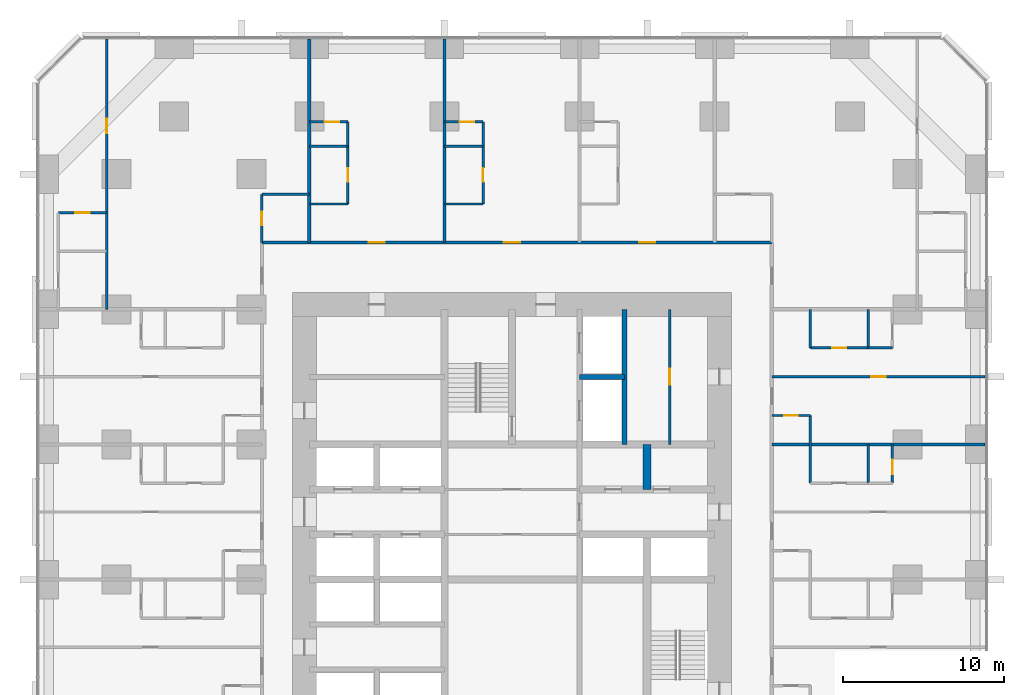
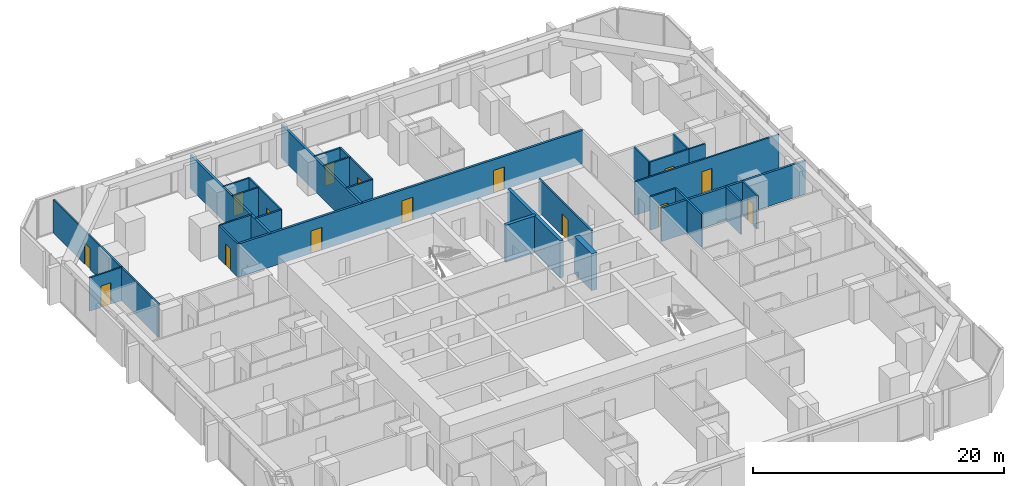
# One storey, part 15 of 17: 31 walls, 15 doors, 15 openings.
"""IFC4 building model written with IfcOpenShell, lengths in metres."""

import ifcopenshell
import ifcopenshell.guid

model = None  # the IFC model being written
_history = None  # IfcOwnerHistory: only IFC2X3 demands one
_inside = {}  # id of a spatial element -> (the spatial element, [elements in it])
_under = {}  # id of a project, library or spatial element -> (it, [spatial elements below it])
_declared = {}  # id of a project -> (the project, [libraries it declares])
_typed = {}  # id of a type object -> (the type object, [elements of that type])
_made_of = {}  # id of a material, layer set ... -> (it, [elements and type objects made of it])


def new_model(schema):
    """Start an empty IFC model of exactly this schema.

    Asked for "IFC4X3", IfcOpenShell would pick the latest addendum, in which some entities
    have other attributes; the version numbers below select the first issue.
    IFC2X3 requires an IfcOwnerHistory on every rooted entity: one is made here for all.
    """
    global model, _history
    if schema == "IFC4X3":
        model = ifcopenshell.file(schema_version=(4, 3, 0, 0))
    else:
        model = ifcopenshell.file(schema=schema)
    _inside.clear()
    _under.clear()
    _declared.clear()
    _typed.clear()
    _made_of.clear()
    _history = None
    if model.schema == "IFC2X3":
        org = make("IfcOrganization", Name="unknown")
        user = make(
            "IfcPersonAndOrganization",
            ThePerson=make("IfcPerson", FamilyName="unknown"),
            TheOrganization=org,
        )
        app = make(
            "IfcApplication",
            ApplicationDeveloper=org,
            Version="unknown",
            ApplicationFullName="unknown",
            ApplicationIdentifier="unknown",
        )
        _history = make(
            "IfcOwnerHistory",
            OwningUser=user,
            OwningApplication=app,
            ChangeAction="ADDED",
            CreationDate=0,
        )
    return model


def make(cls, **values):
    """One entity of the class cls with the attributes given. An attribute that is None is left unset."""
    return model.create_entity(
        cls, **{name: value for name, value in values.items() if value is not None}
    )


def rooted(cls, **values):
    """An entity with a GlobalId (a new one), such as an element, a storey or a relation."""
    return make(cls, GlobalId=ifcopenshell.guid.new(), OwnerHistory=_history, **values)


def si_unit(unit_type, name, prefix=None):
    """IfcSIUnit, for example si_unit("LENGTHUNIT", "METRE", prefix="MILLI")."""
    return make("IfcSIUnit", UnitType=unit_type, Prefix=prefix, Name=name)


def assignment(units):
    """IfcUnitAssignment: the units of a project."""
    return None if units is None else make("IfcUnitAssignment", Units=units)


def point(xyz):
    """IfcCartesianPoint."""
    return None if xyz is None else make("IfcCartesianPoint", Coordinates=xyz)


def direction(xyz):
    """IfcDirection."""
    return None if xyz is None else make("IfcDirection", DirectionRatios=xyz)


def frame(location, z_axis=None, x_axis=None):
    """IfcAxis2Placement3D, a coordinate frame: its origin and axes. An axis left out is left unset."""
    return make(
        "IfcAxis2Placement3D",
        Location=point(location),
        Axis=direction(z_axis),
        RefDirection=direction(x_axis),
    )


def frame_2d(location, x_axis=None):
    """IfcAxis2Placement2D, a coordinate frame in the plane: its origin and x axis."""
    return make(
        "IfcAxis2Placement2D", Location=point(location), RefDirection=direction(x_axis)
    )


def origin():
    """The frame at (0, 0, 0) with its axes left unset."""
    return frame((0.0, 0.0, 0.0))


def place(relative_to, where):
    """IfcLocalPlacement: puts the frame where relative to a parent placement (None: the world)."""
    return make(
        "IfcLocalPlacement", PlacementRelTo=relative_to, RelativePlacement=where
    )


def context(
    kind, dimensions, precision=None, world=None, true_north=None, identifier=None
):
    """IfcGeometricRepresentationContext, for example the 3D "Model" context."""
    return make(
        "IfcGeometricRepresentationContext",
        ContextIdentifier=identifier,
        ContextType=kind,
        CoordinateSpaceDimension=dimensions,
        Precision=precision,
        WorldCoordinateSystem=world,
        TrueNorth=true_north,
    )


def subcontext(parent, identifier, kind, view, scale=None):
    """IfcGeometricRepresentationSubContext, for example "Body" below "Model"."""
    return make(
        "IfcGeometricRepresentationSubContext",
        ContextIdentifier=identifier,
        ContextType=kind,
        ParentContext=parent,
        TargetScale=scale,
        TargetView=view,
    )


def project(units=None, contexts=None):
    """IfcProject with its units and contexts."""
    return rooted(
        "IfcProject",
        Name="project",
        RepresentationContexts=contexts,
        UnitsInContext=assignment(units),
    )


def spatial(cls, under=None, at=None, **own):
    """A site, building, storey or space (cls), placed at a placement, below another one or the project."""
    s = rooted(cls, ObjectPlacement=at, **own)
    if under is not None:
        _under.setdefault(under.id(), (under, []))[1].append(s)
    return s


def profile(cls, at=None, kind="AREA", **sizes):
    """A parametric profile (cls). Its sizes go by their IFC names, for example OverallWidth=200.0."""
    return make(cls, ProfileType=kind, Position=at, **sizes)


def rectangle(**sizes):
    """IfcRectangleProfileDef."""
    return profile("IfcRectangleProfileDef", **sizes)


def extrude(swept, where, along, depth):
    """IfcExtrudedAreaSolid: the profile swept, set in the frame where, extruded along a direction by depth."""
    return make(
        "IfcExtrudedAreaSolid",
        SweptArea=swept,
        Position=where,
        ExtrudedDirection=direction(along),
        Depth=depth,
    )


def shape(context_of_items, identifier, shape_type, items):
    """IfcShapeRepresentation: the items that make up one representation, for example the "Body"."""
    return make(
        "IfcShapeRepresentation",
        ContextOfItems=context_of_items,
        RepresentationIdentifier=identifier,
        RepresentationType=shape_type,
        Items=items,
    )


def material(Name=None, Category=None):
    """IfcMaterial."""
    return make("IfcMaterial", Name=Name, Category=Category)


def layer(
    of_material, thickness, ventilated=None, Name=None, Category=None, Priority=None
):
    """IfcMaterialLayer: one layer of a wall or slab, of a material (None: an air gap)."""
    return make(
        "IfcMaterialLayer",
        Material=of_material,
        LayerThickness=thickness,
        IsVentilated=ventilated,
        Name=Name,
        Category=Category,
        Priority=Priority,
    )


def layer_set(layers, Name=None):
    """IfcMaterialLayerSet."""
    return make("IfcMaterialLayerSet", MaterialLayers=layers, LayerSetName=Name)


def made_of(thing, what):
    """Note that an element or type object is made of a material, layer set ...; save() writes the relation."""
    if what is not None:
        _made_of.setdefault(what.id(), (what, []))[1].append(thing)
    return thing


def type_object(cls, material=None, **own):
    """A type object (cls), such as IfcWallType, which elements share."""
    return made_of(rooted(cls, **own), material)


def element(
    cls,
    number,
    at=None,
    inside=None,
    cuts=None,
    type_object=None,
    material=None,
    context=None,
    identifier="Body",
    shape_type=None,
    held_by="IfcProductDefinitionShape",
    body=None,
    shapes=None,
    **own,
):
    """One element of the class cls, such as IfcWall. Its Tag is "e" and its number.

    at: its placement. inside: the storey or other place that contains it. cuts: it is an
    opening in that element (IfcRelVoidsElement). A single representation is given by context,
    identifier, shape_type and body (its items); several are given by shapes. held_by: the class
    of the entity that holds the representations. save() writes the other relations.
    """
    e = rooted(cls, Tag="e%d" % number, ObjectPlacement=at, **own)
    if body is not None:
        shapes = [shape(context, identifier, shape_type, body)]
    if shapes is not None:
        e.Representation = make(held_by, Representations=shapes)
    if inside is not None:
        _inside.setdefault(inside.id(), (inside, []))[1].append(e)
    if cuts is not None:
        rooted(
            "IfcRelVoidsElement", RelatingBuildingElement=cuts, RelatedOpeningElement=e
        )
    if type_object is not None:
        _typed.setdefault(type_object.id(), (type_object, []))[1].append(e)
    return made_of(e, material)


def fill(opening, filler):
    """IfcRelFillsElement: the door or window that sits in an opening."""
    return rooted(
        "IfcRelFillsElement",
        RelatingOpeningElement=opening,
        RelatedBuildingElement=filler,
    )


def aggregate(whole, parts):
    """IfcRelAggregates: a whole, such as a stair, and the parts it consists of."""
    return rooted("IfcRelAggregates", RelatingObject=whole, RelatedObjects=parts)


def save(model, path):
    """Write the relations noted so far, then the file.

    IfcRelAggregates (storeys below a building ...), IfcRelContainedInSpatialStructure (elements
    in a storey), IfcRelDefinesByType, IfcRelAssociatesMaterial and IfcRelDeclares: one each for
    every whole, place, type object, material and project.
    """
    for whole, parts in _under.values():
        aggregate(whole, parts)
    for where, things in _inside.values():
        rooted(
            "IfcRelContainedInSpatialStructure",
            RelatedElements=things,
            RelatingStructure=where,
        )
    for kind, things in _typed.values():
        rooted("IfcRelDefinesByType", RelatedObjects=things, RelatingType=kind)
    for what, things in _made_of.values():
        rooted("IfcRelAssociatesMaterial", RelatedObjects=things, RelatingMaterial=what)
    for by, libraries in _declared.values():
        rooted("IfcRelDeclares", RelatingContext=by, RelatedDefinitions=libraries)
    model.write(path)


model = new_model("IFC4")

# Units and contexts
model_context = context("Model", 3, precision=1e-05, world=origin(), true_north=direction((0.0, 1.0)))
body_context = subcontext(model_context, "Body", "Model", "MODEL_VIEW")
ifc_project = project(units=[si_unit("LENGTHUNIT", "METRE"), si_unit("AREAUNIT", "SQUARE_METRE"), si_unit("VOLUMEUNIT", "CUBIC_METRE"), si_unit("PLANEANGLEUNIT", "RADIAN"), si_unit("MASSUNIT", "GRAM", prefix="KILO")], contexts=[model_context])

# Site, building, storey
site_placement = place(None, origin())
site = spatial("IfcSite", under=ifc_project, at=site_placement, CompositionType="ELEMENT")
building_placement = place(site_placement, origin())
building = spatial("IfcBuilding", under=site, at=building_placement, Name="Dunama Terrace Hotel", CompositionType="ELEMENT")
storey_placement = place(building_placement, frame((0.0, 0.0, 59.39990234375)))
storey = spatial("IfcBuildingStorey", under=building, at=storey_placement, Name="L14", CompositionType="ELEMENT", Elevation=59.39990234375)

# Wall, opening, door
ifc_material_1 = material(Name="Gypsum board partition", Category="masonry")
ifc_layer_1 = layer(ifc_material_1, 0.14990234375)
ifc_layer_set_1 = layer_set([ifc_layer_1], Name="Bathroom partition 150")
wall_type_1 = type_object("IfcWallType", Name="Bathroom partition 150", PredefinedType="PARTITIONING", material=ifc_layer_set_1)
wall_1_placement = place(storey_placement, frame((13.85009765625, 46.14990234375, 0.0), z_axis=(0.0, 0.0, 1.0), x_axis=(0.0, 1.0, 0.0)))
wall_1 = element("IfcWall", 1, at=wall_1_placement, inside=storey, type_object=wall_type_1, Name="Bathroom partition 150 L14", PredefinedType="PARTITIONING", context=body_context, shape_type="SweptSolid", body=[
    extrude(rectangle(XDim=3.0, YDim=0.14990234375, at=frame_2d((1.5, 0.0))), origin(), (0.0, 0.0, 1.0), 3.25),
])
opening_1_placement = place(wall_1_placement, frame((1.074951171875, 0.0, 0.0)))
opening_1 = element("IfcOpeningElement", 2, at=opening_1_placement, cuts=wall_1, Name="Opening L13-14-073", PredefinedType="OPENING", context=body_context, shape_type="SweptSolid", body=[
    extrude(rectangle(XDim=0.85009765625, YDim=2.10009765625, at=frame_2d((0.425048828125, 1.050048828125))), frame((0.0, 0.0849609375, 0.0), z_axis=(0.0, -1.0, 0.0), x_axis=(1.0, 0.0, 0.0)), (0.0, 0.0, 1.0), 0.169921875),
])
ifc_material_2 = material(Name="Timber door with steel frame", Category="steel")
door_type_1 = type_object("IfcDoorType", Name="Bathroom door 850", OperationType="SINGLE_SWING_LEFT", PredefinedType="DOOR", material=ifc_material_2)
door_1_placement = place(opening_1_placement, frame((0.85009765625, 0.0, 0.0), z_axis=(0.0, 0.0, 1.0), x_axis=(-1.0, 0.0, 0.0)))
door_1 = element("IfcDoor", 3, at=door_1_placement, inside=storey, type_object=door_type_1, Name="Door to powder room L13-14-073, type D2", OperationType="SINGLE_SWING_RIGHT", OverallHeight=2.10009765625, OverallWidth=0.85009765625, PredefinedType="DOOR", context=body_context, shape_type="SweptSolid", body=[
    extrude(rectangle(XDim=0.85009765625, YDim=2.10009765625, at=frame_2d((0.425048828125, 1.050048828125))), frame((0.0, 0.025146484375, 0.0), z_axis=(0.0, -1.0, 0.0), x_axis=(1.0, 0.0, 0.0)), (0.0, 0.0, 1.0), 0.050048828125),
])
fill(opening_1, door_1)

wall_2_placement = place(storey_placement, frame((19.199951171875, 48.550048828125, 0.0), z_axis=(0.0, 0.0, 1.0), x_axis=(0.0, 1.0, 0.0)))
wall_2 = element("IfcWall", 4, at=wall_2_placement, inside=storey, type_object=wall_type_1, Name="Bathroom partition 150 L14", PredefinedType="PARTITIONING", context=body_context, shape_type="SweptSolid", body=[
    extrude(rectangle(XDim=3.599853515625, YDim=0.14990234375, at=frame_2d((1.7998046875, 0.0))), origin(), (0.0, 0.0, 1.0), 3.25),
])
opening_2_placement = place(wall_2_placement, frame((1.375, 0.0, 0.0)))
opening_2 = element("IfcOpeningElement", 5, at=opening_2_placement, cuts=wall_2, Name="Opening L13-14-034", PredefinedType="OPENING", context=body_context, shape_type="SweptSolid", body=[
    extrude(rectangle(XDim=0.85009765625, YDim=2.10009765625, at=frame_2d((0.425048828125, 1.050048828125))), frame((0.0, 0.0849609375, 0.0), z_axis=(0.0, -1.0, 0.0), x_axis=(1.0, 0.0, 0.0)), (0.0, 0.0, 1.0), 0.169921875),
])
door_2_placement = place(opening_2_placement, origin())
door_2 = element("IfcDoor", 6, at=door_2_placement, inside=storey, type_object=door_type_1, Name="Door to en-suite bathroom L13-14-034, type D2", OperationType="SINGLE_SWING_LEFT", OverallHeight=2.10009765625, OverallWidth=0.85009765625, PredefinedType="DOOR", context=body_context, shape_type="SweptSolid", body=[
    extrude(rectangle(XDim=0.85009765625, YDim=2.10009765625, at=frame_2d((0.425048828125, 1.050048828125))), frame((0.0, 0.02490234375, 0.0), z_axis=(0.0, -1.0, 0.0), x_axis=(1.0, 0.0, 0.0)), (0.0, 0.0, 1.0), 0.050048828125),
])
fill(opening_2, door_2)

wall_3_placement = place(storey_placement, frame((27.60009765625, 48.550048828125, 0.0), z_axis=(0.0, 0.0, 1.0), x_axis=(0.0, 1.0, 0.0)))
wall_3 = element("IfcWall", 7, at=wall_3_placement, inside=storey, type_object=wall_type_1, Name="Bathroom partition 150 L14", PredefinedType="PARTITIONING", context=body_context, shape_type="SweptSolid", body=[
    extrude(rectangle(XDim=3.599853515625, YDim=0.14990234375, at=frame_2d((1.7998046875, 0.0))), origin(), (0.0, 0.0, 1.0), 3.25),
])
opening_3_placement = place(wall_3_placement, frame((1.375, 0.0, 0.0)))
opening_3 = element("IfcOpeningElement", 8, at=opening_3_placement, cuts=wall_3, Name="Opening L13-14-037", PredefinedType="OPENING", context=body_context, shape_type="SweptSolid", body=[
    extrude(rectangle(XDim=0.85009765625, YDim=2.10009765625, at=frame_2d((0.425048828125, 1.050048828125))), frame((0.0, 0.0849609375, 0.0), z_axis=(0.0, -1.0, 0.0), x_axis=(1.0, 0.0, 0.0)), (0.0, 0.0, 1.0), 0.169921875),
])
door_3_placement = place(opening_3_placement, origin())
door_3 = element("IfcDoor", 9, at=door_3_placement, inside=storey, type_object=door_type_1, Name="Door to en-suite bathroom L13-14-037, type D2", OperationType="SINGLE_SWING_LEFT", OverallHeight=2.10009765625, OverallWidth=0.85009765625, PredefinedType="DOOR", context=body_context, shape_type="SweptSolid", body=[
    extrude(rectangle(XDim=0.85009765625, YDim=2.10009765625, at=frame_2d((0.425048828125, 1.050048828125))), frame((0.0, 0.02490234375, 0.0), z_axis=(0.0, -1.0, 0.0), x_axis=(1.0, 0.0, 0.0)), (0.0, 0.0, 1.0), 0.050048828125),
])
fill(opening_3, door_3)

# Walls
wall_4_placement = place(storey_placement, frame((47.949951171875, 31.199951171875, 0.0), z_axis=(0.0, 0.0, 1.0), x_axis=(0.0, 1.0, 0.0)))
element("IfcWall", 10, at=wall_4_placement, inside=storey, type_object=wall_type_1, Name="Bathroom partition 150 L14", PredefinedType="PARTITIONING", context=body_context, shape_type="SweptSolid", body=[
    extrude(rectangle(XDim=4.199951171875, YDim=0.14990234375, at=frame_2d((2.10009765625, 0.0))), origin(), (0.0, 0.0, 1.0), 3.25),
])
wall_5_placement = place(storey_placement, frame((47.949951171875, 39.60009765625, 0.0), z_axis=(0.0, 0.0, 1.0), x_axis=(0.0, 1.0, 0.0)))
element("IfcWall", 11, at=wall_5_placement, inside=storey, type_object=wall_type_1, Name="Bathroom partition 150 L14", PredefinedType="PARTITIONING", context=body_context, shape_type="SweptSolid", body=[
    extrude(rectangle(XDim=2.39990234375, YDim=0.14990234375, at=frame_2d((1.199951171875, 0.0))), origin(), (0.0, 0.0, 1.0), 3.25),
])

# Wall, opening, door
wall_6_placement = place(storey_placement, frame((45.550048828125, 35.39990234375, 0.0), z_axis=(0.0, 0.0, 1.0), x_axis=(1.0, 0.0, 0.0)))
wall_6 = element("IfcWall", 12, at=wall_6_placement, inside=storey, type_object=wall_type_1, Name="Bathroom partition 150 L14", PredefinedType="PARTITIONING", context=body_context, shape_type="SweptSolid", body=[
    extrude(rectangle(XDim=2.39990234375, YDim=0.14990234375, at=frame_2d((1.199951171875, 0.0))), origin(), (0.0, 0.0, 1.0), 3.25),
])
opening_4_placement = place(wall_6_placement, frame((0.77490234375, 0.0, 0.0)))
opening_4 = element("IfcOpeningElement", 13, at=opening_4_placement, cuts=wall_6, Name="Opening L13-14-029", PredefinedType="OPENING", context=body_context, shape_type="SweptSolid", body=[
    extrude(rectangle(XDim=0.85009765625, YDim=2.10009765625, at=frame_2d((0.425048828125, 1.050048828125))), frame((0.0, 0.0849609375, 0.0), z_axis=(0.0, -1.0, 0.0), x_axis=(1.0, 0.0, 0.0)), (0.0, 0.0, 1.0), 0.169921875),
])
door_4_placement = place(opening_4_placement, frame((0.85009765625, 0.0, 0.0), z_axis=(0.0, 0.0, 1.0), x_axis=(-1.0, 0.0, 0.0)))
door_4 = element("IfcDoor", 14, at=door_4_placement, inside=storey, type_object=door_type_1, Name="Door to powder room L13-14-029, type D2", OperationType="SINGLE_SWING_RIGHT", OverallHeight=2.10009765625, OverallWidth=0.85009765625, PredefinedType="DOOR", context=body_context, shape_type="SweptSolid", body=[
    extrude(rectangle(XDim=0.85009765625, YDim=2.10009765625, at=frame_2d((0.425048828125, 1.050048828125))), frame((0.0, 0.025146484375, 0.0), z_axis=(0.0, -1.0, 0.0), x_axis=(1.0, 0.0, 0.0)), (0.0, 0.0, 1.0), 0.050048828125),
])
fill(opening_4, door_4)

wall_7_placement = place(storey_placement, frame((47.949951171875, 39.60009765625, 0.0), z_axis=(0.0, 0.0, 1.0), x_axis=(1.0, 0.0, 0.0)))
wall_7 = element("IfcWall", 15, at=wall_7_placement, inside=storey, type_object=wall_type_1, Name="Bathroom partition 150 L14", PredefinedType="PARTITIONING", context=body_context, shape_type="SweptSolid", body=[
    extrude(rectangle(XDim=3.60009765625, YDim=0.14990234375, at=frame_2d((1.800048828125, 0.0))), origin(), (0.0, 0.0, 1.0), 3.25),
])
opening_5_placement = place(wall_7_placement, frame((1.375, 0.0, 0.0)))
opening_5 = element("IfcOpeningElement", 16, at=opening_5_placement, cuts=wall_7, Name="Opening L13-14-031", PredefinedType="OPENING", context=body_context, shape_type="SweptSolid", body=[
    extrude(rectangle(XDim=0.85009765625, YDim=2.10009765625, at=frame_2d((0.425048828125, 1.050048828125))), frame((0.0, 0.0849609375, 0.0), z_axis=(0.0, -1.0, 0.0), x_axis=(1.0, 0.0, 0.0)), (0.0, 0.0, 1.0), 0.169921875),
])
door_5_placement = place(opening_5_placement, origin())
door_5 = element("IfcDoor", 17, at=door_5_placement, inside=storey, type_object=door_type_1, Name="Door to en-suite bathroom L13-14-031, type D2", OperationType="SINGLE_SWING_RIGHT", OverallHeight=2.10009765625, OverallWidth=0.85009765625, PredefinedType="DOOR", context=body_context, shape_type="SweptSolid", body=[
    extrude(rectangle(XDim=0.85009765625, YDim=2.10009765625, at=frame_2d((0.425048828125, 1.050048828125))), frame((0.0, 0.02490234375, 0.0), z_axis=(0.0, -1.0, 0.0), x_axis=(1.0, 0.0, 0.0)), (0.0, 0.0, 1.0), 0.050048828125),
])
fill(opening_5, door_5)

# Walls
wall_8_placement = place(storey_placement, frame((16.800048828125, 48.550048828125, 0.0), z_axis=(0.0, 0.0, 1.0), x_axis=(1.0, 0.0, 0.0)))
element("IfcWall", 18, at=wall_8_placement, inside=storey, type_object=wall_type_1, Name="Bathroom partition 150 L14", PredefinedType="PARTITIONING", context=body_context, shape_type="SweptSolid", body=[
    extrude(rectangle(XDim=2.39990234375, YDim=0.14990234375, at=frame_2d((1.199951171875, 0.0))), origin(), (0.0, 0.0, 1.0), 3.25),
])
wall_9_placement = place(storey_placement, frame((25.199951171875, 48.550048828125, 0.0), z_axis=(0.0, 0.0, 1.0), x_axis=(1.0, 0.0, 0.0)))
element("IfcWall", 19, at=wall_9_placement, inside=storey, type_object=wall_type_1, Name="Bathroom partition 150 L14", PredefinedType="PARTITIONING", context=body_context, shape_type="SweptSolid", body=[
    extrude(rectangle(XDim=2.400146484375, YDim=0.14990234375, at=frame_2d((1.2001953125, 0.0))), origin(), (0.0, 0.0, 1.0), 3.25),
])
wall_10_placement = place(storey_placement, frame((13.85009765625, 49.14990234375, 0.0), z_axis=(0.0, 0.0, 1.0), x_axis=(1.0, 0.0, 0.0)))
element("IfcWall", 20, at=wall_10_placement, inside=storey, type_object=wall_type_1, Name="Bathroom partition 150 L14", PredefinedType="PARTITIONING", context=body_context, shape_type="SweptSolid", body=[
    extrude(rectangle(XDim=2.949951171875, YDim=0.14990234375, at=frame_2d((1.47509765625, 0.0))), origin(), (0.0, 0.0, 1.0), 3.25),
])
ifc_material_3 = material(Name="Concrete C50/60", Category="concrete")
ifc_layer_2 = layer(ifc_material_3, 0.300048828125)
ifc_layer_set_2 = layer_set([ifc_layer_2], Name="Core inner wall 300")
wall_type_2 = type_object("IfcWallType", Name="Core inner wall 300", PredefinedType="SHEAR", material=ifc_layer_set_2)
wall_11_placement = place(storey_placement, frame((36.39990234375, 33.60009765625, -0.349853515625), z_axis=(0.0, 0.0, 1.0), x_axis=(0.0, 1.0, 0.0)))
element("IfcWall", 21, at=wall_11_placement, inside=storey, type_object=wall_type_2, Name="Core inner wall 300 L14", PredefinedType="SHEAR", context=body_context, shape_type="SweptSolid", body=[
    extrude(rectangle(XDim=8.39990234375, YDim=0.300048828125, at=frame_2d((4.199951171875, 0.0))), origin(), (0.0, 0.0, 1.0), 3.599853515625),
])
wall_12_placement = place(storey_placement, frame((33.60009765625, 37.800048828125, -0.349853515625), z_axis=(0.0, 0.0, 1.0), x_axis=(1.0, 0.0, 0.0)))
element("IfcWall", 22, at=wall_12_placement, inside=storey, type_object=wall_type_2, Name="Core inner wall 300 L14", PredefinedType="SHEAR", context=body_context, shape_type="SweptSolid", body=[
    extrude(rectangle(XDim=2.7998046875, YDim=0.300048828125, at=frame_2d((1.39990234375, 0.0))), origin(), (0.0, 0.0, 1.0), 3.599853515625),
])
ifc_material_4 = material(Name="Concrete C50/60", Category="concrete")
ifc_layer_3 = layer(ifc_material_4, 0.5)
ifc_layer_set_3 = layer_set([ifc_layer_3], Name="Core inner wall 500")
wall_type_3 = type_object("IfcWallType", Name="Core inner wall 500", PredefinedType="SHEAR", material=ifc_layer_set_3)
wall_13_placement = place(storey_placement, frame((37.800048828125, 30.800048828125, -0.349853515625), z_axis=(0.0, 0.0, 1.0), x_axis=(0.0, 1.0, 0.0)))
element("IfcWall", 23, at=wall_13_placement, inside=storey, type_object=wall_type_3, Name="Core inner wall 500 L14", PredefinedType="SHEAR", context=body_context, shape_type="SweptSolid", body=[
    extrude(rectangle(XDim=2.800048828125, YDim=0.5, at=frame_2d((1.39990234375, 0.0))), origin(), (0.0, 0.0, 1.0), 3.599853515625),
])

# Wall, openings, doors
ifc_material_5 = material(Name="Concrete blockwork", Category="masonry")
ifc_layer_4 = layer(ifc_material_5, 0.199951171875)
ifc_layer_set_4 = layer_set([ifc_layer_4], Name="Corridor partition 200")
wall_type_4 = type_object("IfcWallType", Name="Corridor partition 200", PredefinedType="PARTITIONING", material=ifc_layer_set_4)
wall_14_placement = place(storey_placement, frame((13.85009765625, 46.14990234375, 0.0), z_axis=(0.0, 0.0, 1.0), x_axis=(1.0, 0.0, 0.0)))
wall_14 = element("IfcWall", 24, at=wall_14_placement, inside=storey, type_object=wall_type_4, Name="Corridor partition 200 L14", PredefinedType="PARTITIONING", context=body_context, shape_type="SweptSolid", body=[
    extrude(rectangle(XDim=31.699951171875, YDim=0.199951171875, at=frame_2d((15.85009765625, 0.0))), origin(), (0.0, 0.0, 1.0), 3.25),
])
opening_6_placement = place(wall_14_placement, frame((6.64990234375, 0.0, 0.0)))
opening_6 = element("IfcOpeningElement", 25, at=opening_6_placement, cuts=wall_14, Name="Opening L13-14-033", PredefinedType="OPENING", context=body_context, shape_type="SweptSolid", body=[
    extrude(rectangle(XDim=1.0, YDim=2.199951171875, at=frame_2d((0.5, 1.10009765625))), frame((0.0, 0.10986328125, 0.0), z_axis=(0.0, -1.0, 0.0), x_axis=(1.0, 0.0, 0.0)), (0.0, 0.0, 1.0), 0.219970703125),
])
opening_7_placement = place(wall_14_placement, frame((15.050048828125, 0.0, 0.0)))
opening_7 = element("IfcOpeningElement", 26, at=opening_7_placement, cuts=wall_14, Name="Opening L13-14-036", PredefinedType="OPENING", context=body_context, shape_type="SweptSolid", body=[
    extrude(rectangle(XDim=1.0, YDim=2.199951171875, at=frame_2d((0.5, 1.10009765625))), frame((0.0, 0.10986328125, 0.0), z_axis=(0.0, -1.0, 0.0), x_axis=(1.0, 0.0, 0.0)), (0.0, 0.0, 1.0), 0.219970703125),
])
opening_8_placement = place(wall_14_placement, frame((23.449951171875, 0.0, 0.0)))
opening_8 = element("IfcOpeningElement", 27, at=opening_8_placement, cuts=wall_14, Name="Opening L13-14-039", PredefinedType="OPENING", context=body_context, shape_type="SweptSolid", body=[
    extrude(rectangle(XDim=1.0, YDim=2.199951171875, at=frame_2d((0.5, 1.10009765625))), frame((0.0, 0.10986328125, 0.0), z_axis=(0.0, -1.0, 0.0), x_axis=(1.0, 0.0, 0.0)), (0.0, 0.0, 1.0), 0.219970703125),
])
ifc_material_6 = material(Name="Timber door with steel frame", Category="steel")
door_type_2 = type_object("IfcDoorType", Name="Guest room door 1000", OperationType="SINGLE_SWING_LEFT", PredefinedType="DOOR", material=ifc_material_6)
door_6_placement = place(opening_6_placement, origin())
door_6 = element("IfcDoor", 28, at=door_6_placement, inside=storey, type_object=door_type_2, Name="Door to junior suite L13-14-033, type D1", OperationType="SINGLE_SWING_LEFT", OverallHeight=2.199951171875, OverallWidth=1.0, PredefinedType="DOOR", context=body_context, shape_type="SweptSolid", body=[
    extrude(rectangle(XDim=1.0, YDim=2.199951171875, at=frame_2d((0.5, 1.10009765625))), frame((0.0, 0.02490234375, 0.0), z_axis=(0.0, -1.0, 0.0), x_axis=(1.0, 0.0, 0.0)), (0.0, 0.0, 1.0), 0.050048828125),
])
fill(opening_6, door_6)
door_7_placement = place(opening_7_placement, origin())
door_7 = element("IfcDoor", 29, at=door_7_placement, inside=storey, type_object=door_type_2, Name="Door to junior suite L13-14-036, type D1", OperationType="SINGLE_SWING_LEFT", OverallHeight=2.199951171875, OverallWidth=1.0, PredefinedType="DOOR", context=body_context, shape_type="SweptSolid", body=[
    extrude(rectangle(XDim=1.0, YDim=2.199951171875, at=frame_2d((0.5, 1.10009765625))), frame((0.0, 0.02490234375, 0.0), z_axis=(0.0, -1.0, 0.0), x_axis=(1.0, 0.0, 0.0)), (0.0, 0.0, 1.0), 0.050048828125),
])
fill(opening_7, door_7)
door_8_placement = place(opening_8_placement, origin())
door_8 = element("IfcDoor", 30, at=door_8_placement, inside=storey, type_object=door_type_2, Name="Door to junior suite L13-14-039, type D1", OperationType="SINGLE_SWING_LEFT", OverallHeight=2.199951171875, OverallWidth=1.0, PredefinedType="DOOR", context=body_context, shape_type="SweptSolid", body=[
    extrude(rectangle(XDim=1.0, YDim=2.199951171875, at=frame_2d((0.5, 1.10009765625))), frame((0.0, 0.02490234375, 0.0), z_axis=(0.0, -1.0, 0.0), x_axis=(1.0, 0.0, 0.0)), (0.0, 0.0, 1.0), 0.050048828125),
])
fill(opening_8, door_8)

# Walls
ifc_material_7 = material(Name="Concrete blockwork", Category="masonry")
ifc_layer_5 = layer(ifc_material_7, 0.199951171875)
ifc_layer_set_5 = layer_set([ifc_layer_5], Name="Party wall 200")
wall_type_5 = type_object("IfcWallType", Name="Party wall 200", PredefinedType="PARTITIONING", material=ifc_layer_set_5)
for number, where, z_axis, x_axis, name in (
    (31, (16.800048828125, 46.14990234375, 0.0), (0.0, 0.0, 1.0), (0.0, 1.0, 0.0), "Party wall 200 L14"),
    (32, (25.199951171875, 46.14990234375, 0.0), (0.0, 0.0, 1.0), (0.0, 1.0, 0.0), "Party wall 200 L14"),
):
    element("IfcWall", number, at=place(storey_placement, frame(where, z_axis=z_axis, x_axis=x_axis)), inside=storey, type_object=wall_type_5, Name=name, PredefinedType="PARTITIONING", context=body_context, shape_type="SweptSolid", body=[
        extrude(rectangle(XDim=12.658203125, YDim=0.199951171875, at=frame_2d((6.3291015625, 0.0))), origin(), (0.0, 0.0, 1.0), 3.25),
    ])
wall_15_placement = place(storey_placement, frame((45.550048828125, 33.60009765625, 0.0), z_axis=(0.0, 0.0, 1.0), x_axis=(1.0, 0.0, 0.0)))
element("IfcWall", 33, at=wall_15_placement, inside=storey, type_object=wall_type_5, Name="Party wall 200 L14", PredefinedType="PARTITIONING", context=body_context, shape_type="SweptSolid", body=[
    extrude(rectangle(XDim=13.258056640625, YDim=0.199951171875, at=frame_2d((6.62890625, 0.0))), origin(), (0.0, 0.0, 1.0), 3.25),
])

# Wall, opening, door
ifc_material_8 = material(Name="Gypsum board partition", Category="masonry")
ifc_layer_6 = layer(ifc_material_8, 0.14990234375)
ifc_layer_set_6 = layer_set([ifc_layer_6], Name="Room partition 150")
wall_type_6 = type_object("IfcWallType", Name="Room partition 150", PredefinedType="PARTITIONING", material=ifc_layer_set_6)
wall_16_placement = place(storey_placement, frame((4.199951171875, 42.0, 0.0), z_axis=(0.0, 0.0, 1.0), x_axis=(0.0, 1.0, 0.0)))
wall_16 = element("IfcWall", 34, at=wall_16_placement, inside=storey, type_object=wall_type_6, Name="Room partition 150 L14", PredefinedType="PARTITIONING", context=body_context, shape_type="SweptSolid", body=[
    extrude(rectangle(XDim=16.80810546875, YDim=0.14990234375, at=frame_2d((8.404052734375, 0.0))), origin(), (0.0, 0.0, 1.0), 3.25),
])
opening_9_placement = place(wall_16_placement, frame((10.949951171875, 0.0, 0.0)))
opening_9 = element("IfcOpeningElement", 35, at=opening_9_placement, cuts=wall_16, Name="Opening L13-14-074", PredefinedType="OPENING", context=body_context, shape_type="SweptSolid", body=[
    extrude(rectangle(XDim=0.89990234375, YDim=2.10009765625, at=frame_2d((0.449951171875, 1.050048828125))), frame((0.0, 0.0849609375, 0.0), z_axis=(0.0, -1.0, 0.0), x_axis=(1.0, 0.0, 0.0)), (0.0, 0.0, 1.0), 0.169921875),
])
ifc_material_9 = material(Name="Timber door with steel frame", Category="steel")
door_type_3 = type_object("IfcDoorType", Name="Suite internal door 900", OperationType="SINGLE_SWING_LEFT", PredefinedType="DOOR", material=ifc_material_9)
door_9_placement = place(opening_9_placement, origin())
door_9 = element("IfcDoor", 36, at=door_9_placement, inside=storey, type_object=door_type_3, Name="Door to corner suite bedroom L13-14-074, type D16", OperationType="SINGLE_SWING_LEFT", OverallHeight=2.10009765625, OverallWidth=0.89990234375, PredefinedType="DOOR", context=body_context, shape_type="SweptSolid", body=[
    extrude(rectangle(XDim=0.89990234375, YDim=2.10009765625, at=frame_2d((0.449951171875, 1.050048828125))), frame((0.0, 0.02490234375, 0.0), z_axis=(0.0, -1.0, 0.0), x_axis=(1.0, 0.0, 0.0)), (0.0, 0.0, 1.0), 0.050048828125),
])
fill(opening_9, door_9)

# Walls
for number, where, z_axis, x_axis, name in (
    (37, (19.199951171875, 52.14990234375, 0.0), (0.0, 0.0, 1.0), (0.0, 1.0, 0.0), "Room partition 150 L14"),
    (38, (27.60009765625, 52.14990234375, 0.0), (0.0, 0.0, 1.0), (0.0, 1.0, 0.0), "Room partition 150 L14"),
):
    element("IfcWall", number, at=place(storey_placement, frame(where, z_axis=z_axis, x_axis=x_axis)), inside=storey, type_object=wall_type_6, Name=name, PredefinedType="PARTITIONING", context=body_context, shape_type="SweptSolid", body=[
        extrude(rectangle(XDim=1.5, YDim=0.14990234375, at=frame_2d((0.75, 0.0))), origin(), (0.0, 0.0, 1.0), 3.25),
    ])

# Wall, opening, door
wall_17_placement = place(storey_placement, frame((39.199951171875, 33.60009765625, 0.0), z_axis=(0.0, 0.0, 1.0), x_axis=(0.0, 1.0, 0.0)))
wall_17 = element("IfcWall", 39, at=wall_17_placement, inside=storey, type_object=wall_type_6, Name="Room partition 150 L14", PredefinedType="PARTITIONING", context=body_context, shape_type="SweptSolid", body=[
    extrude(rectangle(XDim=8.39990234375, YDim=0.14990234375, at=frame_2d((4.199951171875, 0.0))), origin(), (0.0, 0.0, 1.0), 3.25),
])
opening_10_placement = place(wall_17_placement, frame((3.699951171875, 0.0, 0.0)))
opening_10 = element("IfcOpeningElement", 40, at=opening_10_placement, cuts=wall_17, Name="Opening L13-14-089", PredefinedType="OPENING", context=body_context, shape_type="SweptSolid", body=[
    extrude(rectangle(XDim=1.0, YDim=2.10009765625, at=frame_2d((0.5, 1.050048828125))), frame((0.0, 0.0849609375, 0.0), z_axis=(0.0, -1.0, 0.0), x_axis=(1.0, 0.0, 0.0)), (0.0, 0.0, 1.0), 0.169921875),
])
ifc_material_10 = material(Name="Timber door with steel frame", Category="steel")
door_type_4 = type_object("IfcDoorType", Name="Service door 1000", OperationType="SINGLE_SWING_LEFT", PredefinedType="DOOR", material=ifc_material_10)
door_10_placement = place(opening_10_placement, origin())
door_10 = element("IfcDoor", 41, at=door_10_placement, inside=storey, type_object=door_type_4, Name="Door to luggage store L13-14-089, type D7", OperationType="SINGLE_SWING_LEFT", OverallHeight=2.10009765625, OverallWidth=1.0, PredefinedType="DOOR", context=body_context, shape_type="SweptSolid", body=[
    extrude(rectangle(XDim=1.0, YDim=2.10009765625, at=frame_2d((0.5, 1.050048828125))), frame((0.0, 0.02490234375, 0.0), z_axis=(0.0, -1.0, 0.0), x_axis=(1.0, 0.0, 0.0)), (0.0, 0.0, 1.0), 0.050048828125),
])
fill(opening_10, door_10)

# Walls
wall_18_placement = place(storey_placement, frame((51.550048828125, 31.199951171875, 0.0), z_axis=(0.0, 0.0, 1.0), x_axis=(0.0, 1.0, 0.0)))
element("IfcWall", 42, at=wall_18_placement, inside=storey, type_object=wall_type_6, Name="Room partition 150 L14", PredefinedType="PARTITIONING", context=body_context, shape_type="SweptSolid", body=[
    extrude(rectangle(XDim=2.400146484375, YDim=0.14990234375, at=frame_2d((1.2001953125, 0.0))), origin(), (0.0, 0.0, 1.0), 3.25),
])
wall_19_placement = place(storey_placement, frame((51.550048828125, 39.60009765625, 0.0), z_axis=(0.0, 0.0, 1.0), x_axis=(0.0, 1.0, 0.0)))
element("IfcWall", 43, at=wall_19_placement, inside=storey, type_object=wall_type_6, Name="Room partition 150 L14", PredefinedType="PARTITIONING", context=body_context, shape_type="SweptSolid", body=[
    extrude(rectangle(XDim=2.39990234375, YDim=0.14990234375, at=frame_2d((1.199951171875, 0.0))), origin(), (0.0, 0.0, 1.0), 3.25),
])

# Wall, opening, door
wall_20_placement = place(storey_placement, frame((53.050048828125, 31.199951171875, 0.0), z_axis=(0.0, 0.0, 1.0), x_axis=(0.0, 1.0, 0.0)))
wall_20 = element("IfcWall", 44, at=wall_20_placement, inside=storey, type_object=wall_type_6, Name="Room partition 150 L14", PredefinedType="PARTITIONING", context=body_context, shape_type="SweptSolid", body=[
    extrude(rectangle(XDim=2.400146484375, YDim=0.14990234375, at=frame_2d((1.2001953125, 0.0))), origin(), (0.0, 0.0, 1.0), 3.25),
])
opening_11_placement = place(wall_20_placement, frame((0.550048828125, 0.0, 0.0)))
opening_11 = element("IfcOpeningElement", 45, at=opening_11_placement, cuts=wall_20, Name="Opening L13-14-027", PredefinedType="OPENING", context=body_context, shape_type="SweptSolid", body=[
    extrude(rectangle(XDim=0.89990234375, YDim=2.10009765625, at=frame_2d((0.449951171875, 1.050048828125))), frame((0.0, 0.0849609375, 0.0), z_axis=(0.0, -1.0, 0.0), x_axis=(1.0, 0.0, 0.0)), (0.0, 0.0, 1.0), 0.169921875),
])
door_11_placement = place(opening_11_placement, origin())
door_11 = element("IfcDoor", 46, at=door_11_placement, inside=storey, type_object=door_type_3, Name="Door to walk-in wardrobe L13-14-027, type D16", OperationType="SINGLE_SWING_RIGHT", OverallHeight=2.10009765625, OverallWidth=0.89990234375, PredefinedType="DOOR", context=body_context, shape_type="SweptSolid", body=[
    extrude(rectangle(XDim=0.89990234375, YDim=2.10009765625, at=frame_2d((0.449951171875, 1.050048828125))), frame((0.0, 0.02490234375, 0.0), z_axis=(0.0, -1.0, 0.0), x_axis=(1.0, 0.0, 0.0)), (0.0, 0.0, 1.0), 0.050048828125),
])
fill(opening_11, door_11)

wall_21_placement = place(storey_placement, frame((45.550048828125, 37.800048828125, 0.0), z_axis=(0.0, 0.0, 1.0), x_axis=(1.0, 0.0, 0.0)))
wall_21 = element("IfcWall", 47, at=wall_21_placement, inside=storey, type_object=wall_type_6, Name="Room partition 150 L14", PredefinedType="PARTITIONING", context=body_context, shape_type="SweptSolid", body=[
    extrude(rectangle(XDim=13.258056640625, YDim=0.14990234375, at=frame_2d((6.62890625, 0.0))), origin(), (0.0, 0.0, 1.0), 3.25),
])
opening_12_placement = place(wall_21_placement, frame((6.175048828125, 0.0, 0.0)))
opening_12 = element("IfcOpeningElement", 48, at=opening_12_placement, cuts=wall_21, Name="Opening L13-14-030", PredefinedType="OPENING", context=body_context, shape_type="SweptSolid", body=[
    extrude(rectangle(XDim=0.89990234375, YDim=2.10009765625, at=frame_2d((0.449951171875, 1.050048828125))), frame((0.0, 0.0849609375, 0.0), z_axis=(0.0, -1.0, 0.0), x_axis=(1.0, 0.0, 0.0)), (0.0, 0.0, 1.0), 0.169921875),
])
door_12_placement = place(opening_12_placement, origin())
door_12 = element("IfcDoor", 49, at=door_12_placement, inside=storey, type_object=door_type_3, Name="Door to executive suite bedroom L13-14-030, type D16", OperationType="SINGLE_SWING_LEFT", OverallHeight=2.10009765625, OverallWidth=0.89990234375, PredefinedType="DOOR", context=body_context, shape_type="SweptSolid", body=[
    extrude(rectangle(XDim=0.89990234375, YDim=2.10009765625, at=frame_2d((0.449951171875, 1.050048828125))), frame((0.0, 0.02490234375, 0.0), z_axis=(0.0, -1.0, 0.0), x_axis=(1.0, 0.0, 0.0)), (0.0, 0.0, 1.0), 0.050048828125),
])
fill(opening_12, door_12)

# Wall
wall_22_placement = place(storey_placement, frame((51.550048828125, 39.60009765625, 0.0), z_axis=(0.0, 0.0, 1.0), x_axis=(1.0, 0.0, 0.0)))
element("IfcWall", 50, at=wall_22_placement, inside=storey, type_object=wall_type_6, Name="Room partition 150 L14", PredefinedType="PARTITIONING", context=body_context, shape_type="SweptSolid", body=[
    extrude(rectangle(XDim=1.5, YDim=0.14990234375, at=frame_2d((0.75, 0.0))), origin(), (0.0, 0.0, 1.0), 3.25),
])

# Wall, opening, door
wall_23_placement = place(storey_placement, frame((1.199951171875, 48.0, 0.0), z_axis=(0.0, 0.0, 1.0), x_axis=(1.0, 0.0, 0.0)))
wall_23 = element("IfcWall", 51, at=wall_23_placement, inside=storey, type_object=wall_type_6, Name="Room partition 150 L14", PredefinedType="PARTITIONING", context=body_context, shape_type="SweptSolid", body=[
    extrude(rectangle(XDim=3.0, YDim=0.14990234375, at=frame_2d((1.5, 0.0))), origin(), (0.0, 0.0, 1.0), 3.25),
])
opening_13_placement = place(wall_23_placement, frame((1.050048828125, 0.0, 0.0)))
opening_13 = element("IfcOpeningElement", 52, at=opening_13_placement, cuts=wall_23, Name="Opening L13-14-076", PredefinedType="OPENING", context=body_context, shape_type="SweptSolid", body=[
    extrude(rectangle(XDim=0.89990234375, YDim=2.10009765625, at=frame_2d((0.449951171875, 1.050048828125))), frame((0.0, 0.0849609375, 0.0), z_axis=(0.0, -1.0, 0.0), x_axis=(1.0, 0.0, 0.0)), (0.0, 0.0, 1.0), 0.169921875),
])
door_13_placement = place(opening_13_placement, frame((0.89990234375, 0.0, 0.0), z_axis=(0.0, 0.0, 1.0), x_axis=(-1.0, 0.0, 0.0)))
door_13 = element("IfcDoor", 53, at=door_13_placement, inside=storey, type_object=door_type_3, Name="Door to dressing room L13-14-076, type D16", OperationType="SINGLE_SWING_RIGHT", OverallHeight=2.10009765625, OverallWidth=0.89990234375, PredefinedType="DOOR", context=body_context, shape_type="SweptSolid", body=[
    extrude(rectangle(XDim=0.89990234375, YDim=2.10009765625, at=frame_2d((0.449951171875, 1.050048828125))), frame((0.0, 0.025146484375, 0.0), z_axis=(0.0, -1.0, 0.0), x_axis=(1.0, 0.0, 0.0)), (0.0, 0.0, 1.0), 0.050048828125),
])
fill(opening_13, door_13)

# Walls
wall_24_placement = place(storey_placement, frame((16.800048828125, 52.14990234375, 0.0), z_axis=(0.0, 0.0, 1.0), x_axis=(1.0, 0.0, 0.0)))
element("IfcWall", 54, at=wall_24_placement, inside=storey, type_object=wall_type_6, Name="Room partition 150 L14", PredefinedType="PARTITIONING", context=body_context, shape_type="SweptSolid", body=[
    extrude(rectangle(XDim=2.39990234375, YDim=0.14990234375, at=frame_2d((1.199951171875, 0.0))), origin(), (0.0, 0.0, 1.0), 3.25),
])
wall_25_placement = place(storey_placement, frame((25.199951171875, 52.14990234375, 0.0), z_axis=(0.0, 0.0, 1.0), x_axis=(1.0, 0.0, 0.0)))
element("IfcWall", 55, at=wall_25_placement, inside=storey, type_object=wall_type_6, Name="Room partition 150 L14", PredefinedType="PARTITIONING", context=body_context, shape_type="SweptSolid", body=[
    extrude(rectangle(XDim=2.400146484375, YDim=0.14990234375, at=frame_2d((1.2001953125, 0.0))), origin(), (0.0, 0.0, 1.0), 3.25),
])

# Wall, opening, door
wall_26_placement = place(storey_placement, frame((16.800048828125, 53.64990234375, 0.0), z_axis=(0.0, 0.0, 1.0), x_axis=(1.0, 0.0, 0.0)))
wall_26 = element("IfcWall", 56, at=wall_26_placement, inside=storey, type_object=wall_type_6, Name="Room partition 150 L14", PredefinedType="PARTITIONING", context=body_context, shape_type="SweptSolid", body=[
    extrude(rectangle(XDim=2.39990234375, YDim=0.14990234375, at=frame_2d((1.199951171875, 0.0))), origin(), (0.0, 0.0, 1.0), 3.25),
])
opening_14_placement = place(wall_26_placement, frame((0.949951171875, 0.0, 0.0)))
opening_14 = element("IfcOpeningElement", 57, at=opening_14_placement, cuts=wall_26, Name="Opening L13-14-035", PredefinedType="OPENING", context=body_context, shape_type="SweptSolid", body=[
    extrude(rectangle(XDim=0.89990234375, YDim=2.10009765625, at=frame_2d((0.449951171875, 1.050048828125))), frame((0.0, 0.0849609375, 0.0), z_axis=(0.0, -1.0, 0.0), x_axis=(1.0, 0.0, 0.0)), (0.0, 0.0, 1.0), 0.169921875),
])
door_14_placement = place(opening_14_placement, frame((0.89990234375, 0.0, 0.0), z_axis=(0.0, 0.0, 1.0), x_axis=(-1.0, 0.0, 0.0)))
door_14 = element("IfcDoor", 58, at=door_14_placement, inside=storey, type_object=door_type_3, Name="Door to walk-in wardrobe L13-14-035, type D16", OperationType="SINGLE_SWING_RIGHT", OverallHeight=2.10009765625, OverallWidth=0.89990234375, PredefinedType="DOOR", context=body_context, shape_type="SweptSolid", body=[
    extrude(rectangle(XDim=0.89990234375, YDim=2.10009765625, at=frame_2d((0.449951171875, 1.050048828125))), frame((0.0, 0.025146484375, 0.0), z_axis=(0.0, -1.0, 0.0), x_axis=(1.0, 0.0, 0.0)), (0.0, 0.0, 1.0), 0.050048828125),
])
fill(opening_14, door_14)

wall_27_placement = place(storey_placement, frame((25.199951171875, 53.64990234375, 0.0), z_axis=(0.0, 0.0, 1.0), x_axis=(1.0, 0.0, 0.0)))
wall_27 = element("IfcWall", 59, at=wall_27_placement, inside=storey, type_object=wall_type_6, Name="Room partition 150 L14", PredefinedType="PARTITIONING", context=body_context, shape_type="SweptSolid", body=[
    extrude(rectangle(XDim=2.400146484375, YDim=0.14990234375, at=frame_2d((1.2001953125, 0.0))), origin(), (0.0, 0.0, 1.0), 3.25),
])
opening_15_placement = place(wall_27_placement, frame((0.949951171875, 0.0, 0.0)))
opening_15 = element("IfcOpeningElement", 60, at=opening_15_placement, cuts=wall_27, Name="Opening L13-14-038", PredefinedType="OPENING", context=body_context, shape_type="SweptSolid", body=[
    extrude(rectangle(XDim=0.89990234375, YDim=2.10009765625, at=frame_2d((0.449951171875, 1.050048828125))), frame((0.0, 0.0849609375, 0.0), z_axis=(0.0, -1.0, 0.0), x_axis=(1.0, 0.0, 0.0)), (0.0, 0.0, 1.0), 0.169921875),
])
door_15_placement = place(opening_15_placement, frame((0.89990234375, 0.0, 0.0), z_axis=(0.0, 0.0, 1.0), x_axis=(-1.0, 0.0, 0.0)))
door_15 = element("IfcDoor", 61, at=door_15_placement, inside=storey, type_object=door_type_3, Name="Door to walk-in wardrobe L13-14-038, type D16", OperationType="SINGLE_SWING_RIGHT", OverallHeight=2.10009765625, OverallWidth=0.89990234375, PredefinedType="DOOR", context=body_context, shape_type="SweptSolid", body=[
    extrude(rectangle(XDim=0.89990234375, YDim=2.10009765625, at=frame_2d((0.449951171875, 1.050048828125))), frame((0.0, 0.025146484375, 0.0), z_axis=(0.0, -1.0, 0.0), x_axis=(1.0, 0.0, 0.0)), (0.0, 0.0, 1.0), 0.050048828125),
])
fill(opening_15, door_15)

save(model, "model.ifc")
